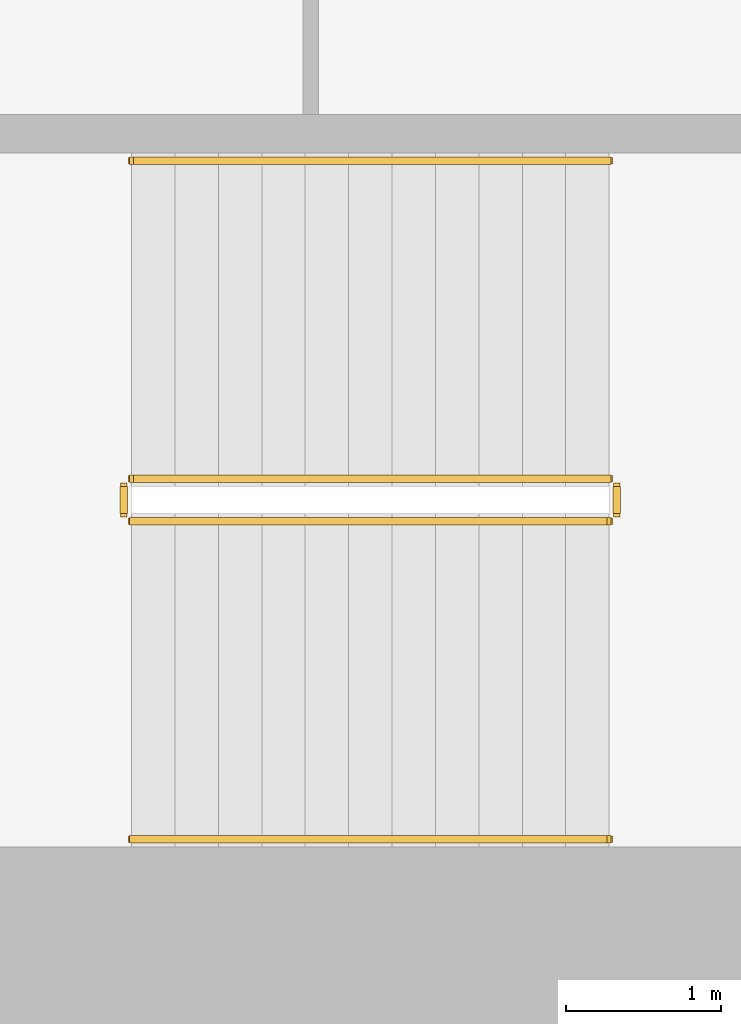
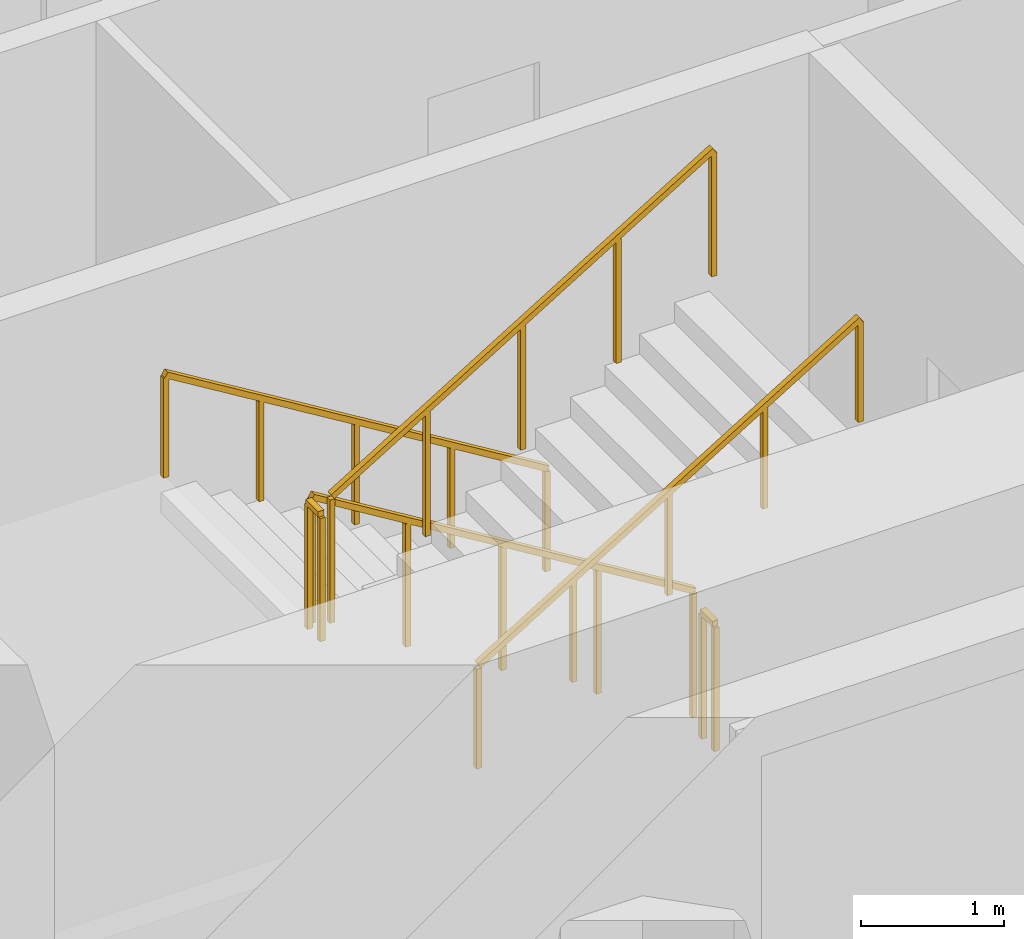
# One storey, part 10 of 15: 6 railings.
"""IFC4 building model written with IfcOpenShell, lengths in metres."""

from ifc_helpers import new_model, si_unit, direction, frame, origin, origin_2d, place, context, subcontext, project, spatial, rectangle, extrude, material, type_object, element, save


model = new_model("IFC4")

# Units and contexts
model_context = context("Model", 3, precision=1e-05, world=origin(), true_north=direction((0.0, 1.0)))
body_context = subcontext(model_context, "Body", "Model", "MODEL_VIEW")
ifc_project = project(units=[si_unit("LENGTHUNIT", "METRE"), si_unit("AREAUNIT", "SQUARE_METRE"), si_unit("VOLUMEUNIT", "CUBIC_METRE"), si_unit("PLANEANGLEUNIT", "RADIAN"), si_unit("MASSUNIT", "GRAM", prefix="KILO")], contexts=[model_context])

# Site, building, storey
site_placement = place(None, origin())
site = spatial("IfcSite", under=ifc_project, at=site_placement, CompositionType="ELEMENT")
building_placement = place(site_placement, origin())
building = spatial("IfcBuilding", under=site, at=building_placement, Name="Cypress Arch Tower", CompositionType="ELEMENT")
storey_placement = place(building_placement, frame((0.0, 0.0, 234.300048828125)))
storey = spatial("IfcBuildingStorey", under=building, at=storey_placement, Name="L52", CompositionType="ELEMENT", Elevation=234.300048828125)

# Railings
ifc_material_1 = material(Name="Black powder-coated steel square bar 48 mm", Category="steel")
railing_type_1 = type_object("IfcRailingType", Name="Stair handrail HR1", PredefinedType="HANDRAIL", material=ifc_material_1)
railing_1_placement = place(storey_placement, frame((-22.27490234375, -10.375, 0.1708984375)))
element("IfcRailing", 1, at=railing_1_placement, inside=storey, type_object=railing_type_1, Name="L52 A stair handrail 1", PredefinedType="HANDRAIL", context=body_context, shape_type="SweptSolid", body=[
    extrude(rectangle(XDim=0.048095703125, YDim=0.048095703125, at=origin_2d()), frame((0.0, 0.0, 0.8759765625), z_axis=(-0.853666305674, 0.0, 0.52082035152), x_axis=(0.0, -1.0, 0.0)), (0.0, 0.0, 1.0), 3.608154296875),
    extrude(rectangle(XDim=0.0419921875, YDim=0.0419921875, at=origin_2d()), origin(), (0.0, 0.0, 1.0), 0.851806640625),
    extrude(rectangle(XDim=0.0419921875, YDim=0.0419921875, at=origin_2d()), frame((-0.77001953125, 0.0, 0.4697265625)), (0.0, 0.0, 1.0), 0.851806640625),
    extrude(rectangle(XDim=0.0419921875, YDim=0.0419921875, at=origin_2d()), frame((-1.5400390625, 0.0, 0.939453125)), (0.0, 0.0, 1.0), 0.851806640625),
    extrude(rectangle(XDim=0.0419921875, YDim=0.0419921875, at=origin_2d()), frame((-2.31005859375, 0.0, 1.409423828125)), (0.0, 0.0, 1.0), 0.851806640625),
    extrude(rectangle(XDim=0.0419921875, YDim=0.0419921875, at=origin_2d()), frame((-3.080078125, 0.0, 1.879150390625)), (0.0, 0.0, 1.0), 0.851806640625),
])
railing_2_placement = place(storey_placement, frame((-25.35498046875, -14.75, 2.220703125)))
element("IfcRailing", 2, at=railing_2_placement, inside=storey, type_object=railing_type_1, Name="L52 A stair handrail 2", PredefinedType="HANDRAIL", context=body_context, shape_type="SweptSolid", body=[
    extrude(rectangle(XDim=0.048095703125, YDim=0.048095703125, at=origin_2d()), frame((0.0, 0.0, 0.8759765625), z_axis=(0.853666305674, 0.0, 0.52082035152), x_axis=(0.0, 1.0, 0.0)), (0.0, 0.0, 1.0), 3.608154296875),
    extrude(rectangle(XDim=0.0419921875, YDim=0.0419921875, at=origin_2d()), origin(), (0.0, 0.0, 1.0), 0.851806640625),
    extrude(rectangle(XDim=0.0419921875, YDim=0.0419921875, at=origin_2d()), frame((0.77001953125, 0.0, 0.4697265625)), (0.0, 0.0, 1.0), 0.851806640625),
    extrude(rectangle(XDim=0.0419921875, YDim=0.0419921875, at=origin_2d()), frame((1.5400390625, 0.0, 0.939453125)), (0.0, 0.0, 1.0), 0.851806640625),
    extrude(rectangle(XDim=0.0419921875, YDim=0.0419921875, at=origin_2d()), frame((2.31005859375, 0.0, 1.409423828125)), (0.0, 0.0, 1.0), 0.851806640625),
    extrude(rectangle(XDim=0.0419921875, YDim=0.0419921875, at=origin_2d()), frame((3.080078125, 0.0, 1.879150390625)), (0.0, 0.0, 1.0), 0.851806640625),
])
ifc_material_2 = material(Name="Black powder-coated steel balusters", Category="steel")
railing_type_2 = type_object("IfcRailingType", Name="Stair well guard G1", PredefinedType="GUARDRAIL", material=ifc_material_2)
railing_3_placement = place(storey_placement, frame((-22.27490234375, -12.425048828125, 0.1708984375)))
element("IfcRailing", 3, at=railing_3_placement, inside=storey, type_object=railing_type_2, Name="L52 A stair guard 1", PredefinedType="GUARDRAIL", context=body_context, shape_type="SweptSolid", body=[
    extrude(rectangle(XDim=0.048095703125, YDim=0.048095703125, at=origin_2d()), frame((0.0, 0.0, 1.076171875), z_axis=(-0.853666305674, 0.0, 0.52082035152), x_axis=(0.0, -1.0, 0.0)), (0.0, 0.0, 1.0), 3.608154296875),
    extrude(rectangle(XDim=0.0419921875, YDim=0.0419921875, at=origin_2d()), origin(), (0.0, 0.0, 1.0), 1.052001953125),
    extrude(rectangle(XDim=0.0419921875, YDim=0.0419921875, at=origin_2d()), frame((-0.77001953125, 0.0, 0.4697265625)), (0.0, 0.0, 1.0), 1.052001953125),
    extrude(rectangle(XDim=0.0419921875, YDim=0.0419921875, at=origin_2d()), frame((-1.5400390625, 0.0, 0.939453125)), (0.0, 0.0, 1.0), 1.052001953125),
    extrude(rectangle(XDim=0.0419921875, YDim=0.0419921875, at=origin_2d()), frame((-2.31005859375, 0.0, 1.409423828125)), (0.0, 0.0, 1.0), 1.052001953125),
    extrude(rectangle(XDim=0.0419921875, YDim=0.0419921875, at=origin_2d()), frame((-3.080078125, 0.0, 1.879150390625)), (0.0, 0.0, 1.0), 1.052001953125),
])
railing_4_placement = place(storey_placement, frame((-25.405029296875, -12.47509765625, 2.050048828125)))
element("IfcRailing", 4, at=railing_4_placement, inside=storey, type_object=railing_type_2, Name="L52 A stair guard 2", PredefinedType="GUARDRAIL", context=body_context, shape_type="SweptSolid", body=[
    extrude(rectangle(XDim=0.048095703125, YDim=0.048095703125, at=origin_2d()), frame((0.0, 0.0, 1.076171875), z_axis=(0.0, -1.0, 0.0), x_axis=(1.0, 0.0, 0.0)), (0.0, 0.0, 1.0), 0.1748046875),
    extrude(rectangle(XDim=0.0419921875, YDim=0.0419921875, at=origin_2d()), origin(), (0.0, 0.0, 1.0), 1.052001953125),
    extrude(rectangle(XDim=0.0419921875, YDim=0.0419921875, at=origin_2d()), frame((0.0, -0.1748046875, 0.0)), (0.0, 0.0, 1.0), 1.052001953125),
])
railing_5_placement = place(storey_placement, frame((-25.35498046875, -12.699951171875, 2.220703125)))
element("IfcRailing", 5, at=railing_5_placement, inside=storey, type_object=railing_type_2, Name="L52 A stair guard 3", PredefinedType="GUARDRAIL", context=body_context, shape_type="SweptSolid", body=[
    extrude(rectangle(XDim=0.048095703125, YDim=0.048095703125, at=origin_2d()), frame((0.0, 0.0, 1.076171875), z_axis=(0.853666305674, 0.0, 0.52082035152), x_axis=(0.0, 1.0, 0.0)), (0.0, 0.0, 1.0), 3.608154296875),
    extrude(rectangle(XDim=0.0419921875, YDim=0.0419921875, at=origin_2d()), origin(), (0.0, 0.0, 1.0), 1.052001953125),
    extrude(rectangle(XDim=0.0419921875, YDim=0.0419921875, at=origin_2d()), frame((0.77001953125, 0.0, 0.4697265625)), (0.0, 0.0, 1.0), 1.052001953125),
    extrude(rectangle(XDim=0.0419921875, YDim=0.0419921875, at=origin_2d()), frame((1.5400390625, 0.0, 0.939453125)), (0.0, 0.0, 1.0), 1.052001953125),
    extrude(rectangle(XDim=0.0419921875, YDim=0.0419921875, at=origin_2d()), frame((2.31005859375, 0.0, 1.409423828125)), (0.0, 0.0, 1.0), 1.052001953125),
    extrude(rectangle(XDim=0.0419921875, YDim=0.0419921875, at=origin_2d()), frame((3.080078125, 0.0, 1.879150390625)), (0.0, 0.0, 1.0), 1.052001953125),
])
railing_6_placement = place(storey_placement, frame((-22.22509765625, -12.47509765625, 0.0)))
element("IfcRailing", 6, at=railing_6_placement, inside=storey, type_object=railing_type_2, Name="L52 A stair guard 4", PredefinedType="GUARDRAIL", context=body_context, shape_type="SweptSolid", body=[
    extrude(rectangle(XDim=0.048095703125, YDim=0.048095703125, at=origin_2d()), frame((0.0, 0.0, 1.076171875), z_axis=(0.0, -1.0, 0.0), x_axis=(1.0, 0.0, 0.0)), (0.0, 0.0, 1.0), 0.1748046875),
    extrude(rectangle(XDim=0.0419921875, YDim=0.0419921875, at=origin_2d()), origin(), (0.0, 0.0, 1.0), 1.052001953125),
    extrude(rectangle(XDim=0.0419921875, YDim=0.0419921875, at=origin_2d()), frame((0.0, -0.1748046875, 0.0)), (0.0, 0.0, 1.0), 1.052001953125),
])

save(model, "model.ifc")
